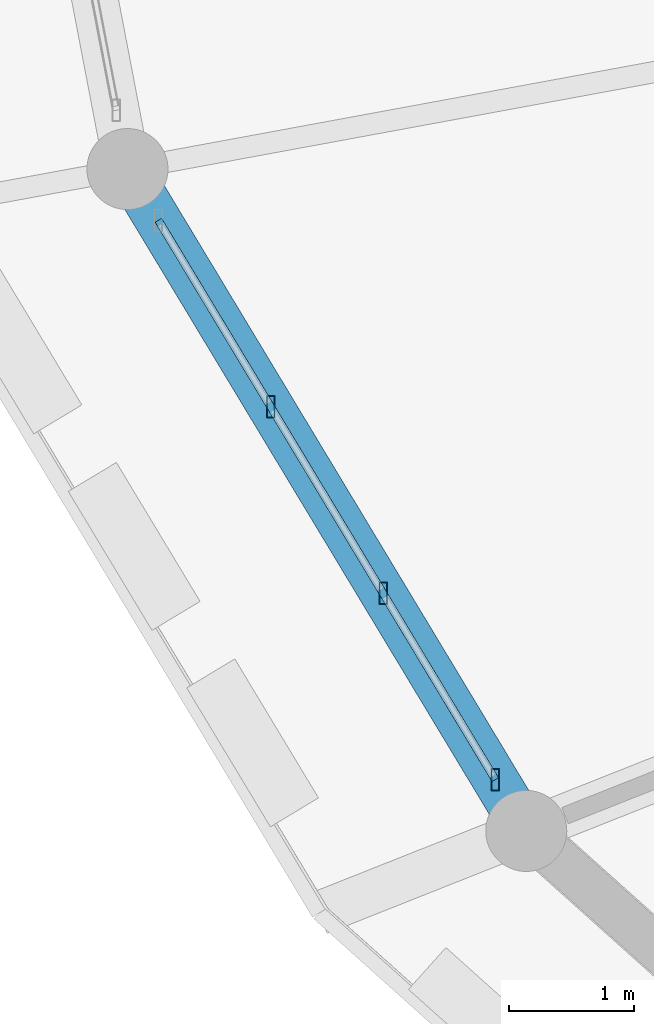
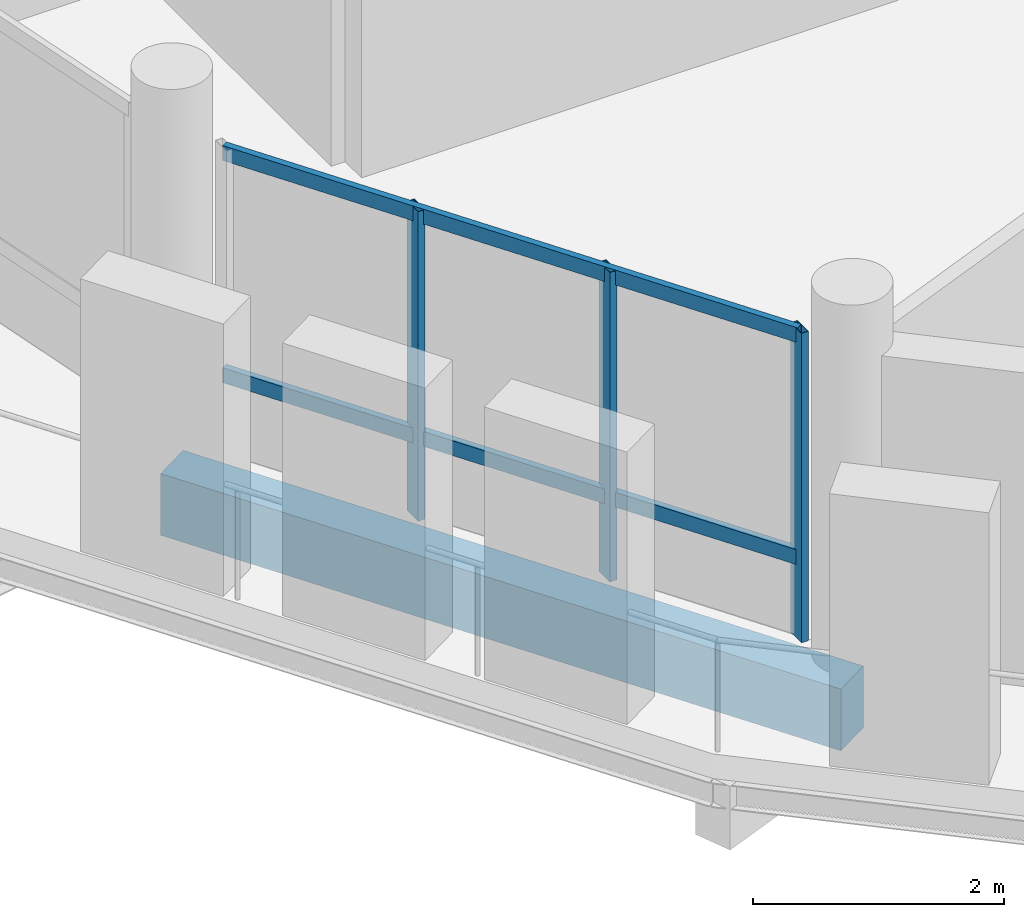
# One storey, part 24 of 93: 5 members, 1 beam, 1 element without a shape of its own.
"""IFC4 building model written with IfcOpenShell, lengths in metres."""

from ifc_helpers import new_model, si_unit, direction, frame, origin, origin_2d, place, context, subcontext, project, spatial, rectangle, hollow_rectangle, extrude, material, material_profile, profile_set, type_object, element, aggregate, save


model = new_model("IFC4")

# Units and contexts
model_context = context("Model", 3, precision=1e-05, world=origin(), true_north=direction((0.0, 1.0)))
body_context = subcontext(model_context, "Body", "Model", "MODEL_VIEW")
ifc_project = project(units=[si_unit("LENGTHUNIT", "METRE"), si_unit("AREAUNIT", "SQUARE_METRE"), si_unit("VOLUMEUNIT", "CUBIC_METRE"), si_unit("PLANEANGLEUNIT", "RADIAN"), si_unit("MASSUNIT", "GRAM", prefix="KILO")], contexts=[model_context])

# Site, building, storey
site_placement = place(None, origin())
site = spatial("IfcSite", under=ifc_project, at=site_placement, CompositionType="ELEMENT")
building_placement = place(site_placement, origin())
building = spatial("IfcBuilding", under=site, at=building_placement, Name="Zornivar Specialist Clinic", CompositionType="ELEMENT")
storey_placement = place(building_placement, frame((0.0, 0.0, 8.39990234375)))
storey = spatial("IfcBuildingStorey", under=building, at=storey_placement, Name="L02", CompositionType="ELEMENT", Elevation=8.39990234375)

# Beam
ifc_material_1 = material(Name="Concrete C30/37", Category="concrete")
ifc_material_profile_1 = material_profile(ifc_material_1, rectangle(XDim=0.3701171875, YDim=0.60009765625, at=origin_2d()), Name="RC 370x600")
ifc_profile_set_1 = profile_set([ifc_material_profile_1], Name="Concrete C30/37")
beam_type = type_object("IfcBeamType", Name="BM-RC-SPANDREL-370x600", PredefinedType="SPANDREL", material=ifc_profile_set_1)
beam_placement = place(storey_placement, frame((62.68994140625, 51.906005859375, -0.539794921875), z_axis=(0.516094506256, -0.856531646007, 0.0), x_axis=(0.856531646007, 0.516094506256, 0.0)))
element("IfcBeam", 1, at=beam_placement, inside=storey, type_object=beam_type, Name="bm:V1:L02:outring:13", PredefinedType="SPANDREL", context=body_context, shape_type="SweptSolid", body=[
    extrude(rectangle(XDim=0.3701171875, YDim=0.60009765625, at=origin_2d()), origin(), (0.0, 0.0, 1.0), 6.194580078125),
])

# Curtain wall, members
ifc_material_2 = material(Name="Aluminium and Low-E Glass Curtain Wall", Category="aluminium")
curtain_wall_type = type_object("IfcCurtainWallType", Name="CW-DRUM-FACET", PredefinedType="NOTDEFINED", material=ifc_material_2)
curtain_wall_placement = place(storey_placement, origin())
curtain_wall = element("IfcCurtainWall", 2, at=curtain_wall_placement, inside=storey, type_object=curtain_wall_type, Name="cw:V1:L02:c13", PredefinedType="NOTDEFINED")
ifc_material_3 = material(Name="Aluminium AW-6060", Category="aluminium")
ifc_material_profile_2 = material_profile(ifc_material_3, hollow_rectangle(XDim=0.06494140625, YDim=0.175048828125, WallThickness=0.00439453125, at=origin_2d()), Name="ALU 65x175x4.5")
ifc_profile_set_2 = profile_set([ifc_material_profile_2], Name="Aluminium AW-6060")
member_type_1 = type_object("IfcMemberType", Name="CWM-MUL-175", PredefinedType="MULLION", material=ifc_profile_set_2)
member_1_placement = place(storey_placement, frame((63.837890625, 50.0, 0.0), z_axis=(0.0, 0.0, 1.0), x_axis=(1.0, 0.0, 0.0)))
member_1 = element("IfcMember", 3, at=member_1_placement, type_object=member_type_1, Name="cw:V1:L02:c13:mul:1", PredefinedType="MULLION", context=body_context, shape_type="SweptSolid", body=[
    extrude(hollow_rectangle(XDim=0.06494140625, YDim=0.175048828125, WallThickness=0.00439453125, at=origin_2d()), origin(), (0.0, 0.0, 1.0), 3.010009765625),
])
member_2_placement = place(storey_placement, frame((64.739013671875, 48.5048828125, 0.0), z_axis=(0.0, 0.0, 1.0), x_axis=(1.0, 0.0, 0.0)))
member_2 = element("IfcMember", 4, at=member_2_placement, type_object=member_type_1, Name="cw:V1:L02:c13:mul:2", PredefinedType="MULLION", context=body_context, shape_type="SweptSolid", body=[
    extrude(hollow_rectangle(XDim=0.06494140625, YDim=0.175048828125, WallThickness=0.00439453125, at=origin_2d()), origin(), (0.0, 0.0, 1.0), 3.010009765625),
])
member_3_placement = place(storey_placement, frame((65.638916015625, 47.010986328125, 0.0), z_axis=(0.0, 0.0, 1.0), x_axis=(1.0, 0.0, 0.0)))
member_3 = element("IfcMember", 5, at=member_3_placement, type_object=member_type_1, Name="cw:V1:L02:c13:mul:3", PredefinedType="MULLION", context=body_context, shape_type="SweptSolid", body=[
    extrude(hollow_rectangle(XDim=0.06494140625, YDim=0.175048828125, WallThickness=0.00439453125, at=origin_2d()), origin(), (0.0, 0.0, 1.0), 3.010009765625),
])
ifc_material_4 = material(Name="Aluminium AW-6060", Category="aluminium")
ifc_material_profile_3 = material_profile(ifc_material_4, hollow_rectangle(XDim=0.06005859375, YDim=0.14501953125, WallThickness=0.00390625, at=origin_2d()), Name="ALU 60x145x4")
ifc_profile_set_3 = profile_set([ifc_material_profile_3], Name="Aluminium AW-6060")
member_type_2 = type_object("IfcMemberType", Name="CWM-TRN-145", PredefinedType="USERDEFINED", material=ifc_profile_set_3)
member_4_placement = place(storey_placement, frame((62.93798828125, 51.4951171875, 0.783203125), z_axis=(0.515962745671, -0.856611023207, 0.0), x_axis=(0.856611023207, 0.515962745671, 0.0)))
member_4 = element("IfcMember", 6, at=member_4_placement, type_object=member_type_2, Name="cw:V1:L02:c13:trn:0", ObjectType="TRANSOM", PredefinedType="USERDEFINED", context=body_context, shape_type="SweptSolid", body=[
    extrude(hollow_rectangle(XDim=0.06005859375, YDim=0.14501953125, WallThickness=0.00390625, at=origin_2d()), origin(), (0.0, 0.0, 1.0), 5.234619140625),
])
member_5_placement = place(storey_placement, frame((62.93798828125, 51.4951171875, 2.945068359375), z_axis=(0.515962745671, -0.856611023207, 0.0), x_axis=(0.856611023207, 0.515962745671, 0.0)))
member_5 = element("IfcMember", 7, at=member_5_placement, type_object=member_type_2, Name="cw:V1:L02:c13:trn:1", ObjectType="TRANSOM", PredefinedType="USERDEFINED", context=body_context, shape_type="SweptSolid", body=[
    extrude(hollow_rectangle(XDim=0.06005859375, YDim=0.14501953125, WallThickness=0.00390625, at=origin_2d()), origin(), (0.0, 0.0, 1.0), 5.234619140625),
])
aggregate(curtain_wall, [member_1, member_2, member_3, member_4, member_5])

save(model, "model.ifc")
